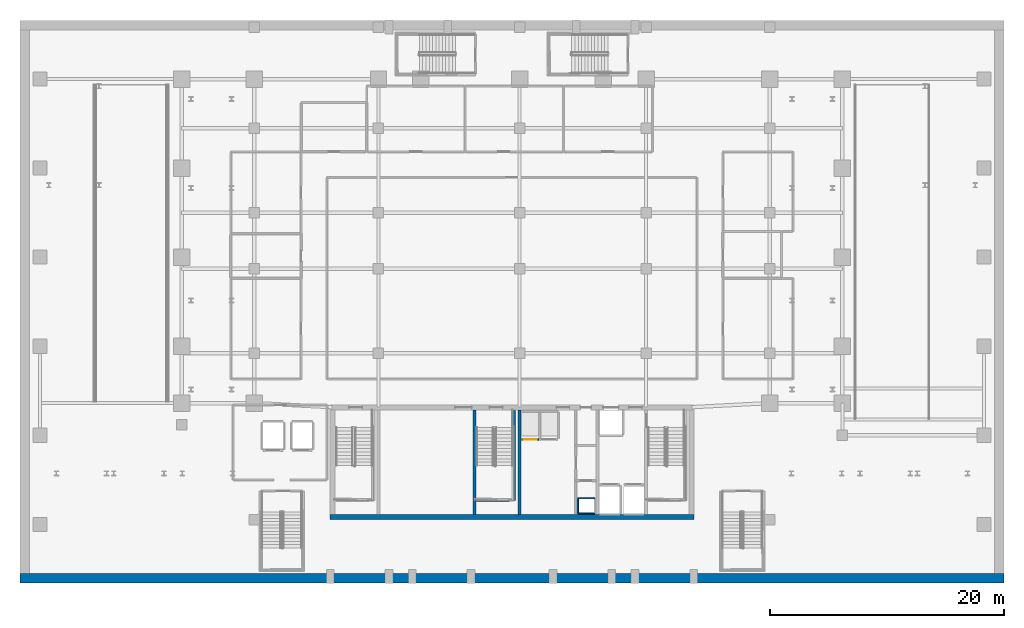
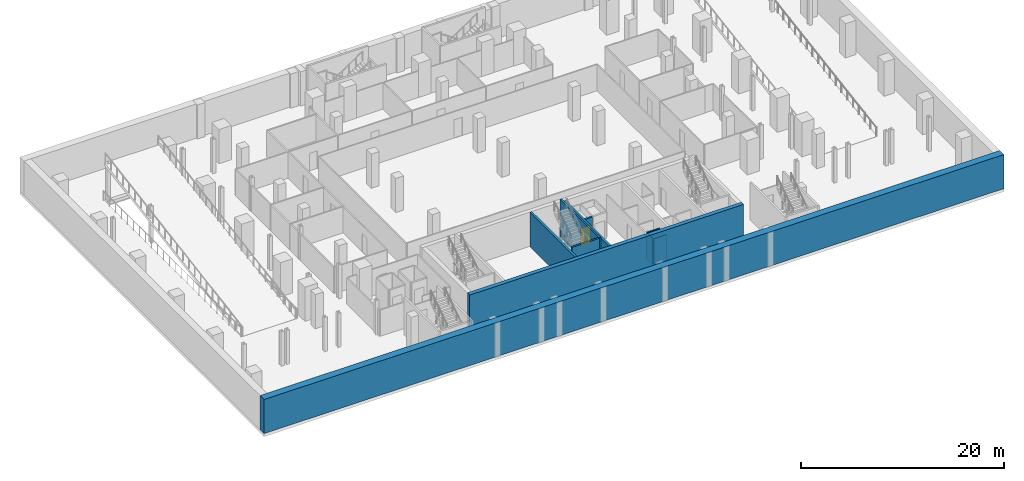
# One storey, part 8 of 18: 10 walls, 1 door, 1 opening.
"""IFC4 building model written with IfcOpenShell, lengths in metres."""

from ifc_helpers import new_model, si_unit, direction, frame, frame_2d, origin, place, context, subcontext, project, spatial, rectangle, extrude, material, layer, layer_set, type_object, element, fill, save


model = new_model("IFC4")

# Units and contexts
model_context = context("Model", 3, precision=1e-05, world=origin(), true_north=direction((0.0, 1.0)))
body_context = subcontext(model_context, "Body", "Model", "MODEL_VIEW")
ifc_project = project(units=[si_unit("LENGTHUNIT", "METRE"), si_unit("AREAUNIT", "SQUARE_METRE"), si_unit("VOLUMEUNIT", "CUBIC_METRE"), si_unit("PLANEANGLEUNIT", "RADIAN"), si_unit("MASSUNIT", "GRAM", prefix="KILO")], contexts=[model_context])

# Site, building, storey
site_placement = place(None, origin())
site = spatial("IfcSite", under=ifc_project, at=site_placement, CompositionType="ELEMENT")
building_placement = place(site_placement, origin())
building = spatial("IfcBuilding", under=site, at=building_placement, Name="Ndaravel Arena Tower", CompositionType="ELEMENT")
storey_placement = place(building_placement, frame((0.0, 0.0, -4.5)))
storey = spatial("IfcBuildingStorey", under=building, at=storey_placement, Name="B01", CompositionType="ELEMENT", Elevation=-4.5)

# Walls
ifc_material_1 = material(Name="Concrete C60/75", Category="concrete")
ifc_layer_1 = layer(ifc_material_1, 0.25)
ifc_layer_set_1 = layer_set([ifc_layer_1], Name="Concrete C60/75")
wall_type_1 = type_object("IfcWallType", Name="WALL-CORE-250", PredefinedType="SOLIDWALL", material=ifc_layer_set_1)
for number, where, z_axis, x_axis, name in (
    (1, (38.800048828125, 5.85009765625, 0.0), (0.0, 0.0, 1.0), (0.0, 1.0, 0.0), "B01 Core Web Shear Wall 2"),
    (2, (42.64990234375, 5.85009765625, 0.0), (0.0, 0.0, 1.0), (0.0, 1.0, 0.0), "B01 Core Web Shear Wall 3"),
):
    element("IfcWall", number, at=place(storey_placement, frame(where, z_axis=z_axis, x_axis=x_axis)), inside=storey, type_object=wall_type_1, Name=name, PredefinedType="SOLIDWALL", context=body_context, shape_type="SweptSolid", body=[
        extrude(rectangle(XDim=8.89990234375, YDim=0.25, at=frame_2d((4.449951171875, 0.0))), origin(), (0.0, 0.0, 1.0), 4.10009765625),
    ])
ifc_material_2 = material(Name="Concrete C60/75", Category="concrete")
ifc_layer_2 = layer(ifc_material_2, 0.449951171875)
ifc_layer_set_2 = layer_set([ifc_layer_2], Name="Concrete C60/75")
wall_type_2 = type_object("IfcWallType", Name="WALL-CORE-450", PredefinedType="SOLIDWALL", material=ifc_layer_set_2)
wall_1_placement = place(storey_placement, frame((26.449951171875, 5.625, 0.0), z_axis=(0.0, 0.0, 1.0), x_axis=(1.0, 0.0, 0.0)))
element("IfcWall", 3, at=wall_1_placement, inside=storey, type_object=wall_type_2, Name="B01 Core South Shear Wall", PredefinedType="SOLIDWALL", context=body_context, shape_type="SweptSolid", body=[
    extrude(rectangle(XDim=31.10009765625, YDim=0.449951171875, at=frame_2d((15.550048828125, 0.0))), origin(), (0.0, 0.0, 1.0), 4.10009765625),
])
ifc_material_3 = material(Name="Concrete C40/50", Category="concrete")
ifc_layer_3 = layer(ifc_material_3, 0.800048828125)
ifc_layer_set_3 = layer_set([ifc_layer_3], Name="Concrete C40/50")
wall_type_3 = type_object("IfcWallType", Name="WALL-DWALL-800", PredefinedType="USERDEFINED", material=ifc_layer_set_3)
wall_2_placement = place(storey_placement, frame((0.0, 0.39990234375, 0.0), z_axis=(0.0, 0.0, 1.0), x_axis=(1.0, 0.0, 0.0)))
element("IfcWall", 4, at=wall_2_placement, inside=storey, type_object=wall_type_3, Name="B01 South Diaphragm Wall", ObjectType="RETAININGWALL", PredefinedType="USERDEFINED", context=body_context, shape_type="SweptSolid", body=[
    extrude(rectangle(XDim=84.0, YDim=0.800048828125, at=frame_2d((42.0, 0.0))), origin(), (0.0, 0.0, 1.0), 4.10009765625),
])
ifc_material_4 = material(Name="Concrete C40/50", Category="concrete")
ifc_layer_4 = layer(ifc_material_4, 0.1201171875)
ifc_layer_set_4 = layer_set([ifc_layer_4], Name="Concrete C40/50")
wall_type_4 = type_object("IfcWallType", Name="WALL-SHAFT-120", PredefinedType="SOLIDWALL", material=ifc_layer_set_4)
for number, where, z_axis, x_axis, name in (
    (5, (47.6201171875, 5.919921875, 0.0), (0.0, 0.0, 1.0), (1.0, 0.0, 0.0), "B01 MEP Riser Shaft S Wall"),
    (6, (47.6201171875, 7.219970703125, 0.0), (0.0, 0.0, 1.0), (1.0, 0.0, 0.0), "B01 MEP Riser Shaft N Wall"),
):
    element("IfcWall", number, at=place(storey_placement, frame(where, z_axis=z_axis, x_axis=x_axis)), inside=storey, type_object=wall_type_4, Name=name, PredefinedType="SOLIDWALL", context=body_context, shape_type="SweptSolid", body=[
        extrude(rectangle(XDim=1.4599609375, YDim=0.1201171875, at=frame_2d((0.72998046875, 0.0))), origin(), (0.0, 0.0, 1.0), 3.143310546875),
    ])
wall_3_placement = place(storey_placement, frame((47.6201171875, 6.0, 0.0), z_axis=(0.0, 0.0, 1.0), x_axis=(0.0, 1.0, 0.0)))
element("IfcWall", 7, at=wall_3_placement, inside=storey, type_object=wall_type_4, Name="B01 MEP Riser Shaft W Wall", PredefinedType="SOLIDWALL", context=body_context, shape_type="SweptSolid", body=[
    extrude(rectangle(XDim=1.139892578125, YDim=0.1201171875, at=frame_2d((0.56982421875, 0.0))), origin(), (0.0, 0.0, 1.0), 3.143310546875),
])
ifc_material_5 = material(Name="Concrete C40/50", Category="concrete")
ifc_layer_5 = layer(ifc_material_5, 0.199951171875)
ifc_layer_set_5 = layer_set([ifc_layer_5], Name="Concrete C40/50")
wall_type_5 = type_object("IfcWallType", Name="WALL-SHAFT-200", PredefinedType="SOLIDWALL", material=ifc_layer_set_5)
wall_4_placement = place(storey_placement, frame((42.18994140625, 14.699951171875, 0.0), z_axis=(0.0, 0.0, 1.0), x_axis=(0.0, -1.0, 0.0)))
element("IfcWall", 8, at=wall_4_placement, inside=storey, type_object=wall_type_5, Name="B01 ST-2 Structural Shaft Wall Right", PredefinedType="SOLIDWALL", context=body_context, shape_type="SweptSolid", body=[
    extrude(rectangle(XDim=7.64990234375, YDim=0.199951171875, at=frame_2d((3.824951171875, 0.0))), origin(), (0.0, 0.0, 1.0), 4.5),
])
wall_5_placement = place(storey_placement, frame((38.969970703125, 7.050048828125, 0.0), z_axis=(0.0, 0.0, 1.0), x_axis=(1.0, 0.0, 0.0)))
element("IfcWall", 9, at=wall_5_placement, inside=storey, type_object=wall_type_5, Name="B01 ST-2 Structural Shaft Wall Far", PredefinedType="SOLIDWALL", context=body_context, shape_type="SweptSolid", body=[
    extrude(rectangle(XDim=3.114990234375, YDim=0.199951171875, at=frame_2d((1.5576171875, 0.0))), origin(), (0.0, 0.0, 1.0), 4.5),
])

# Wall, opening, door
wall_6_placement = place(storey_placement, frame((42.804931640625, 12.25, 0.0), z_axis=(0.0, 0.0, 1.0), x_axis=(1.0, 0.0, 0.0)))
wall_6 = element("IfcWall", 10, at=wall_6_placement, inside=storey, type_object=wall_type_5, Name="B01 PL-OBS1 Shaft Landing Wall", PredefinedType="SOLIDWALL", context=body_context, shape_type="SweptSolid", body=[
    extrude(rectangle(XDim=1.489990234375, YDim=0.179931640625, at=frame_2d((0.7451171875, 0.0))), origin(), (0.0, 0.0, 1.0), 3.143310546875),
])
opening_placement = place(wall_6_placement, frame((0.195068359375, 0.0, 0.0)))
opening = element("IfcOpeningElement", 11, at=opening_placement, cuts=wall_6, Name="Opening LD-01", PredefinedType="OPENING", context=body_context, shape_type="SweptSolid", body=[
    extrude(rectangle(XDim=1.10009765625, YDim=2.199951171875, at=frame_2d((0.550048828125, 1.10009765625))), frame((0.0, 0.08984375, 0.0), z_axis=(0.0, -1.0, 0.0), x_axis=(1.0, 0.0, 0.0)), (0.0, 0.0, 1.0), 0.179931640625),
])
ifc_material_6 = material(Name="Steel S355", Category="steel")
door_type = type_object("IfcDoorType", Name="DT-06-LIFT-1100", OperationType="SLIDING_TO_LEFT", PredefinedType="DOOR", material=ifc_material_6)
door_placement = place(opening_placement, origin())
door = element("IfcDoor", 12, at=door_placement, inside=storey, type_object=door_type, Name="B01 Lift PL-OBS1 Sliding Landing Door", OperationType="SLIDING_TO_LEFT", OverallHeight=2.199951171875, OverallWidth=1.10009765625, PredefinedType="DOOR", context=body_context, shape_type="SweptSolid", body=[
    extrude(rectangle(XDim=1.10009765625, YDim=2.199951171875, at=frame_2d((0.550048828125, 1.10009765625))), frame((0.0, 0.02490234375, 0.0), z_axis=(0.0, -1.0, 0.0), x_axis=(1.0, 0.0, 0.0)), (0.0, 0.0, 1.0), 0.050048828125),
])
fill(opening, door)

save(model, "model.ifc")
